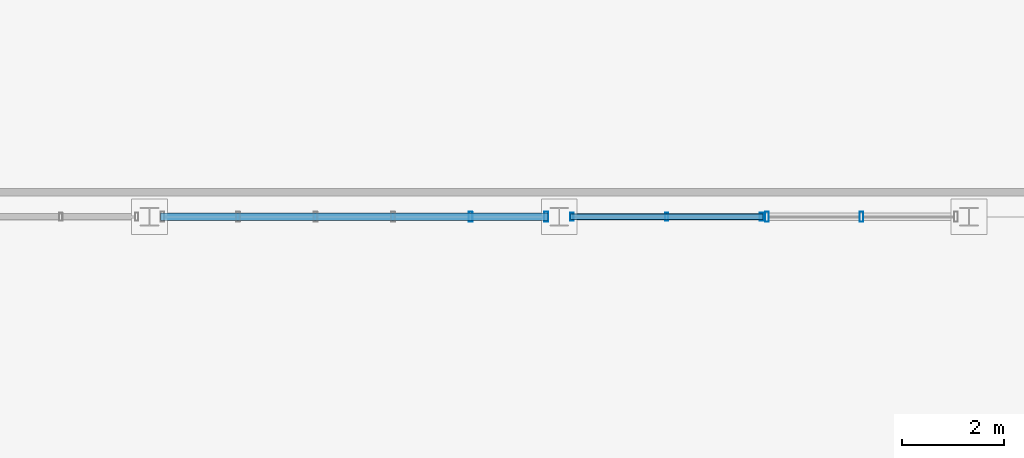
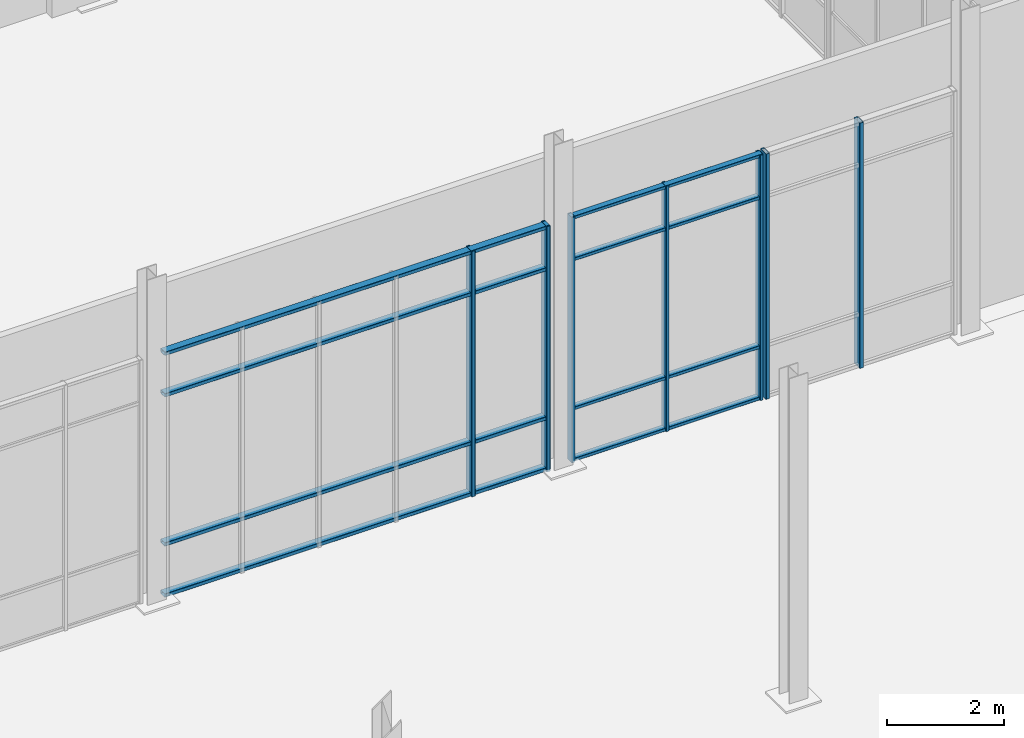
# One storey, part 95 of 140: 15 members, 3 elements without a shape of their own.
"""IFC4 building model written with IfcOpenShell, lengths in metres."""

from ifc_helpers import new_model, si_unit, direction, frame, origin, origin_2d, place, context, subcontext, project, spatial, hollow_rectangle, extrude, material, material_profile, profile_set, type_object, element, aggregate, save


model = new_model("IFC4")

# Units and contexts
model_context = context("Model", 3, precision=1e-05, world=origin(), true_north=direction((0.0, 1.0)))
body_context = subcontext(model_context, "Body", "Model", "MODEL_VIEW")
ifc_project = project(units=[si_unit("LENGTHUNIT", "METRE"), si_unit("AREAUNIT", "SQUARE_METRE"), si_unit("VOLUMEUNIT", "CUBIC_METRE"), si_unit("PLANEANGLEUNIT", "RADIAN"), si_unit("MASSUNIT", "GRAM", prefix="KILO")], contexts=[model_context])

# Site, building, storey
site_placement = place(None, origin())
site = spatial("IfcSite", under=ifc_project, at=site_placement, CompositionType="ELEMENT")
building_placement = place(site_placement, origin())
building = spatial("IfcBuilding", under=site, at=building_placement, Name="Verrall Gate Interchange", CompositionType="ELEMENT")
storey_placement = place(building_placement, origin())
storey = spatial("IfcBuildingStorey", under=building, at=storey_placement, Name="L01", CompositionType="ELEMENT", Elevation=0.0)

# Curtain wall, members
ifc_material_1 = material(Name="Thermally Broken Anodized Aluminium Curtain Wall Framing", Category="aluminium")
curtain_wall_type_1 = type_object("IfcCurtainWallType", Name="CW-08 Unitized Curtain Wall 3764x5100", PredefinedType="NOTDEFINED", material=ifc_material_1)
curtain_wall_1_placement = place(storey_placement, origin())
curtain_wall_1 = element("IfcCurtainWall", 1, at=curtain_wall_1_placement, inside=storey, type_object=curtain_wall_type_1, Name="L01 Unitized Curtain Wall CW-L01-028", PredefinedType="NOTDEFINED")
ifc_material_2 = material(Name="Thermally Broken Anodized Aluminium Curtain Wall Framing", Category="aluminium")
ifc_material_profile_1 = material_profile(ifc_material_2, hollow_rectangle(XDim=0.06494140625, YDim=0.159912109375, WallThickness=0.00390625, InnerFilletRadius=0.00390625, OuterFilletRadius=0.008056640625, at=origin_2d()), Name="CWM160x65x4")
ifc_profile_set_1 = profile_set([ifc_material_profile_1], Name="Thermally Broken Anodized Aluminium Curtain Wall Framing")
member_type_1 = type_object("IfcMemberType", Name="CM-01 Curtain Mullion CWM160x65x4", PredefinedType="MULLION", material=ifc_profile_set_1)
member_1_placement = place(storey_placement, frame((140.2490234375, 74.0, 0.0), z_axis=(0.0, 0.0, 1.0), x_axis=(1.0, 0.0, 0.0)))
member_1 = element("IfcMember", 2, at=member_1_placement, type_object=member_type_1, Name="CW-L01-028 Mullion 1", PredefinedType="MULLION", context=body_context, shape_type="SweptSolid", body=[
    extrude(hollow_rectangle(XDim=0.06494140625, YDim=0.159912109375, WallThickness=0.00390625, InnerFilletRadius=0.00390625, OuterFilletRadius=0.008056640625, at=origin_2d()), origin(), (0.0, 0.0, 1.0), 5.10009765625),
])
member_2_placement = place(storey_placement, frame((142.098388671875, 74.0, 0.0), z_axis=(0.0, 0.0, 1.0), x_axis=(1.0, 0.0, 0.0)))
member_2 = element("IfcMember", 3, at=member_2_placement, type_object=member_type_1, Name="CW-L01-028 Mullion 2", PredefinedType="MULLION", context=body_context, shape_type="SweptSolid", body=[
    extrude(hollow_rectangle(XDim=0.06494140625, YDim=0.159912109375, WallThickness=0.00390625, InnerFilletRadius=0.00390625, OuterFilletRadius=0.008056640625, at=origin_2d()), origin(), (0.0, 0.0, 1.0), 5.10009765625),
])
member_3_placement = place(storey_placement, frame((143.947509765625, 74.0, 0.0), z_axis=(0.0, 0.0, 1.0), x_axis=(1.0, 0.0, 0.0)))
member_3 = element("IfcMember", 4, at=member_3_placement, type_object=member_type_1, Name="CW-L01-028 Mullion 3", PredefinedType="MULLION", context=body_context, shape_type="SweptSolid", body=[
    extrude(hollow_rectangle(XDim=0.06494140625, YDim=0.159912109375, WallThickness=0.00390625, InnerFilletRadius=0.00390625, OuterFilletRadius=0.008056640625, at=origin_2d()), origin(), (0.0, 0.0, 1.0), 5.10009765625),
])

ifc_material_3 = material(Name="Thermally Broken Anodized Aluminium Curtain Wall Framing", Category="aluminium")
curtain_wall_type_2 = type_object("IfcCurtainWallType", Name="CW-06 Unitized Curtain Wall 7631x5100", PredefinedType="NOTDEFINED", material=ifc_material_3)
curtain_wall_2_placement = place(storey_placement, origin())
curtain_wall_2 = element("IfcCurtainWall", 5, at=curtain_wall_2_placement, inside=storey, type_object=curtain_wall_type_2, Name="L01 Unitized Curtain Wall CW-L01-027", PredefinedType="NOTDEFINED")
ifc_material_4 = material(Name="Thermally Broken Anodized Aluminium Curtain Wall Framing", Category="aluminium")
ifc_material_profile_2 = material_profile(ifc_material_4, hollow_rectangle(XDim=0.074951171875, YDim=0.199951171875, WallThickness=0.0048828125, InnerFilletRadius=0.0048828125, OuterFilletRadius=0.010009765625, at=origin_2d()), Name="CWM200x75x5")
ifc_profile_set_2 = profile_set([ifc_material_profile_2], Name="Thermally Broken Anodized Aluminium Curtain Wall Framing")
member_type_2 = type_object("IfcMemberType", Name="CM-02 Curtain Mullion CWM200x75x5", PredefinedType="MULLION", material=ifc_profile_set_2)
member_4_placement = place(storey_placement, frame((138.27001953125, 74.0, 0.0), z_axis=(0.0, 0.0, 1.0), x_axis=(1.0, 0.0, 0.0)))
member_4 = element("IfcMember", 6, at=member_4_placement, type_object=member_type_2, Name="CW-L01-027 Mullion 5", PredefinedType="MULLION", context=body_context, shape_type="SweptSolid", body=[
    extrude(hollow_rectangle(XDim=0.074951171875, YDim=0.199951171875, WallThickness=0.0048828125, InnerFilletRadius=0.0048828125, OuterFilletRadius=0.010009765625, at=origin_2d()), origin(), (0.0, 0.0, 1.0), 5.10009765625),
])
member_5_placement = place(storey_placement, frame((139.74609375, 74.0, 0.0), z_axis=(0.0, 0.0, 1.0), x_axis=(1.0, 0.0, 0.0)))
member_5 = element("IfcMember", 7, at=member_5_placement, type_object=member_type_2, Name="CW-L01-027 Mullion 6", PredefinedType="MULLION", context=body_context, shape_type="SweptSolid", body=[
    extrude(hollow_rectangle(XDim=0.074951171875, YDim=0.199951171875, WallThickness=0.0048828125, InnerFilletRadius=0.0048828125, OuterFilletRadius=0.010009765625, at=origin_2d()), origin(), (0.0, 0.0, 1.0), 5.10009765625),
])

curtain_wall_3_placement = place(storey_placement, origin())
curtain_wall_3 = element("IfcCurtainWall", 8, at=curtain_wall_3_placement, inside=storey, type_object=curtain_wall_type_1, Name="L01 Unitized Curtain Wall CW-L01-029", PredefinedType="NOTDEFINED")
member_6_placement = place(storey_placement, frame((144.0576171875, 74.0, 0.0), z_axis=(0.0, 0.0, 1.0), x_axis=(1.0, 0.0, 0.0)))
member_6 = element("IfcMember", 9, at=member_6_placement, type_object=member_type_2, Name="CW-L01-029 Mullion 1", PredefinedType="MULLION", context=body_context, shape_type="SweptSolid", body=[
    extrude(hollow_rectangle(XDim=0.074951171875, YDim=0.199951171875, WallThickness=0.0048828125, InnerFilletRadius=0.0048828125, OuterFilletRadius=0.010009765625, at=origin_2d()), origin(), (0.0, 0.0, 1.0), 5.10009765625),
])
member_7_placement = place(storey_placement, frame((145.90185546875, 74.0, 0.0), z_axis=(0.0, 0.0, 1.0), x_axis=(1.0, 0.0, 0.0)))
member_7 = element("IfcMember", 10, at=member_7_placement, type_object=member_type_2, Name="CW-L01-029 Mullion 2", PredefinedType="MULLION", context=body_context, shape_type="SweptSolid", body=[
    extrude(hollow_rectangle(XDim=0.074951171875, YDim=0.199951171875, WallThickness=0.0048828125, InnerFilletRadius=0.0048828125, OuterFilletRadius=0.010009765625, at=origin_2d()), origin(), (0.0, 0.0, 1.0), 5.10009765625),
])
aggregate(curtain_wall_3, [member_6, member_7])

# Member
ifc_material_5 = material(Name="Thermally Broken Anodized Aluminium Curtain Wall Framing", Category="aluminium")
ifc_material_profile_3 = material_profile(ifc_material_5, hollow_rectangle(XDim=0.1201171875, YDim=0.06494140625, WallThickness=0.00390625, InnerFilletRadius=0.00390625, OuterFilletRadius=0.008056640625, at=origin_2d()), Name="CWT120x65x4")
ifc_profile_set_3 = profile_set([ifc_material_profile_3], Name="Thermally Broken Anodized Aluminium Curtain Wall Framing")
member_type_3 = type_object("IfcMemberType", Name="CT-01 Curtain Transom CWT120x65x4", PredefinedType="USERDEFINED", material=ifc_profile_set_3)
member_8_placement = place(storey_placement, frame((140.216552734375, 74.0, 0.032470703125), z_axis=(1.0, 0.0, 0.0), x_axis=(0.0, 1.0, 0.0)))
member_8 = element("IfcMember", 11, at=member_8_placement, type_object=member_type_3, Name="CW-L01-028 Transom 1", ObjectType="TRANSOM", PredefinedType="USERDEFINED", context=body_context, shape_type="SweptSolid", body=[
    extrude(hollow_rectangle(XDim=0.1201171875, YDim=0.06494140625, WallThickness=0.00390625, InnerFilletRadius=0.00390625, OuterFilletRadius=0.008056640625, at=origin_2d()), origin(), (0.0, 0.0, 1.0), 3.763427734375),
])

member_9_placement = place(storey_placement, frame((140.216552734375, 74.0, 1.10009765625), z_axis=(1.0, 0.0, 0.0), x_axis=(0.0, 1.0, 0.0)))
member_9 = element("IfcMember", 12, at=member_9_placement, type_object=member_type_3, Name="CW-L01-028 Transom 2", ObjectType="TRANSOM", PredefinedType="USERDEFINED", context=body_context, shape_type="SweptSolid", body=[
    extrude(hollow_rectangle(XDim=0.1201171875, YDim=0.06494140625, WallThickness=0.00390625, InnerFilletRadius=0.00390625, OuterFilletRadius=0.008056640625, at=origin_2d()), origin(), (0.0, 0.0, 1.0), 3.763427734375),
])

member_10_placement = place(storey_placement, frame((140.216552734375, 74.0, 4.199951171875), z_axis=(1.0, 0.0, 0.0), x_axis=(0.0, 1.0, 0.0)))
member_10 = element("IfcMember", 13, at=member_10_placement, type_object=member_type_3, Name="CW-L01-028 Transom 3", ObjectType="TRANSOM", PredefinedType="USERDEFINED", context=body_context, shape_type="SweptSolid", body=[
    extrude(hollow_rectangle(XDim=0.1201171875, YDim=0.06494140625, WallThickness=0.00390625, InnerFilletRadius=0.00390625, OuterFilletRadius=0.008056640625, at=origin_2d()), origin(), (0.0, 0.0, 1.0), 3.763427734375),
])

member_11_placement = place(storey_placement, frame((140.216552734375, 74.0, 5.0673828125), z_axis=(1.0, 0.0, 0.0), x_axis=(0.0, 1.0, 0.0)))
member_11 = element("IfcMember", 14, at=member_11_placement, type_object=member_type_3, Name="CW-L01-028 Transom 4", ObjectType="TRANSOM", PredefinedType="USERDEFINED", context=body_context, shape_type="SweptSolid", body=[
    extrude(hollow_rectangle(XDim=0.1201171875, YDim=0.06494140625, WallThickness=0.00390625, InnerFilletRadius=0.00390625, OuterFilletRadius=0.008056640625, at=origin_2d()), origin(), (0.0, 0.0, 1.0), 3.763427734375),
])

aggregate(curtain_wall_1, [member_1, member_2, member_3, member_8, member_9, member_10, member_11])

ifc_material_6 = material(Name="Thermally Broken Anodized Aluminium Curtain Wall Framing", Category="aluminium")
ifc_material_profile_4 = material_profile(ifc_material_6, hollow_rectangle(XDim=0.14990234375, YDim=0.074951171875, WallThickness=0.00439453125, InnerFilletRadius=0.00439453125, OuterFilletRadius=0.009033203125, at=origin_2d()), Name="CWT150x75x4.5")
ifc_profile_set_4 = profile_set([ifc_material_profile_4], Name="Thermally Broken Anodized Aluminium Curtain Wall Framing")
member_type_4 = type_object("IfcMemberType", Name="CT-02 Curtain Transom CWT150x75x4.5", PredefinedType="USERDEFINED", material=ifc_profile_set_4)
member_12_placement = place(storey_placement, frame((132.216552734375, 74.0, 0.03759765625), z_axis=(1.0, 0.0, 0.0), x_axis=(0.0, 1.0, 0.0)))
member_12 = element("IfcMember", 15, at=member_12_placement, type_object=member_type_4, Name="CW-L01-027 Transom 1", ObjectType="TRANSOM", PredefinedType="USERDEFINED", context=body_context, shape_type="SweptSolid", body=[
    extrude(hollow_rectangle(XDim=0.14990234375, YDim=0.074951171875, WallThickness=0.00439453125, InnerFilletRadius=0.00439453125, OuterFilletRadius=0.009033203125, at=origin_2d()), origin(), (0.0, 0.0, 1.0), 7.56689453125),
])

member_13_placement = place(storey_placement, frame((132.216552734375, 74.0, 1.10009765625), z_axis=(1.0, 0.0, 0.0), x_axis=(0.0, 1.0, 0.0)))
member_13 = element("IfcMember", 16, at=member_13_placement, type_object=member_type_4, Name="CW-L01-027 Transom 2", ObjectType="TRANSOM", PredefinedType="USERDEFINED", context=body_context, shape_type="SweptSolid", body=[
    extrude(hollow_rectangle(XDim=0.14990234375, YDim=0.074951171875, WallThickness=0.00439453125, InnerFilletRadius=0.00439453125, OuterFilletRadius=0.009033203125, at=origin_2d()), origin(), (0.0, 0.0, 1.0), 7.56689453125),
])

member_14_placement = place(storey_placement, frame((132.216552734375, 74.0, 4.199951171875), z_axis=(1.0, 0.0, 0.0), x_axis=(0.0, 1.0, 0.0)))
member_14 = element("IfcMember", 17, at=member_14_placement, type_object=member_type_4, Name="CW-L01-027 Transom 3", ObjectType="TRANSOM", PredefinedType="USERDEFINED", context=body_context, shape_type="SweptSolid", body=[
    extrude(hollow_rectangle(XDim=0.14990234375, YDim=0.074951171875, WallThickness=0.00439453125, InnerFilletRadius=0.00439453125, OuterFilletRadius=0.009033203125, at=origin_2d()), origin(), (0.0, 0.0, 1.0), 7.56689453125),
])

member_15_placement = place(storey_placement, frame((132.216552734375, 74.0, 5.0625), z_axis=(1.0, 0.0, 0.0), x_axis=(0.0, 1.0, 0.0)))
member_15 = element("IfcMember", 18, at=member_15_placement, type_object=member_type_4, Name="CW-L01-027 Transom 4", ObjectType="TRANSOM", PredefinedType="USERDEFINED", context=body_context, shape_type="SweptSolid", body=[
    extrude(hollow_rectangle(XDim=0.14990234375, YDim=0.074951171875, WallThickness=0.00439453125, InnerFilletRadius=0.00439453125, OuterFilletRadius=0.009033203125, at=origin_2d()), origin(), (0.0, 0.0, 1.0), 7.56689453125),
])

aggregate(curtain_wall_2, [member_4, member_5, member_12, member_13, member_14, member_15])

save(model, "model.ifc")
